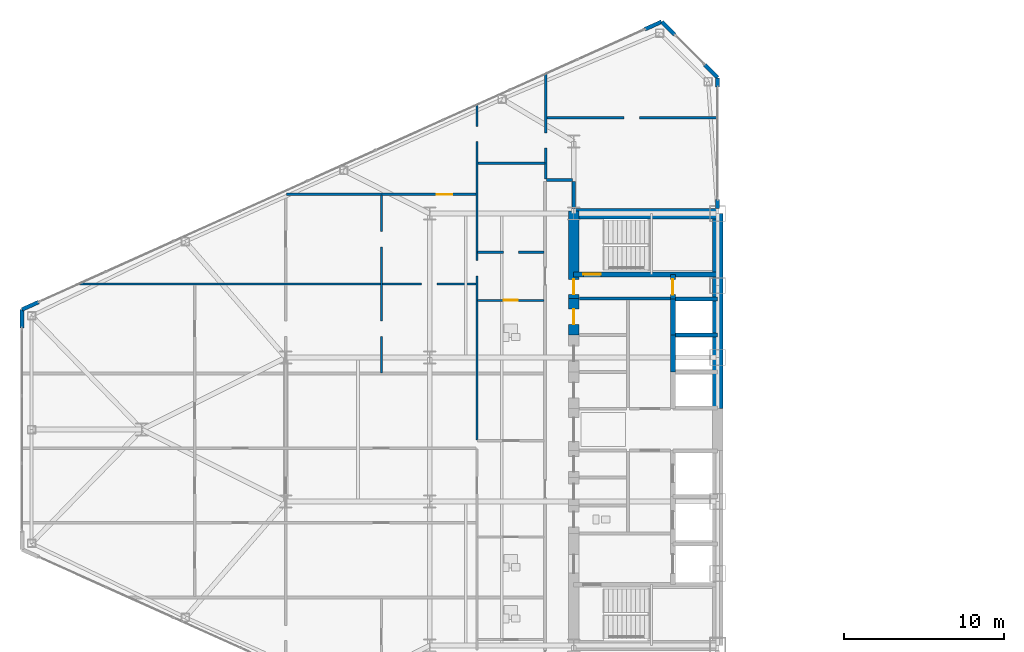
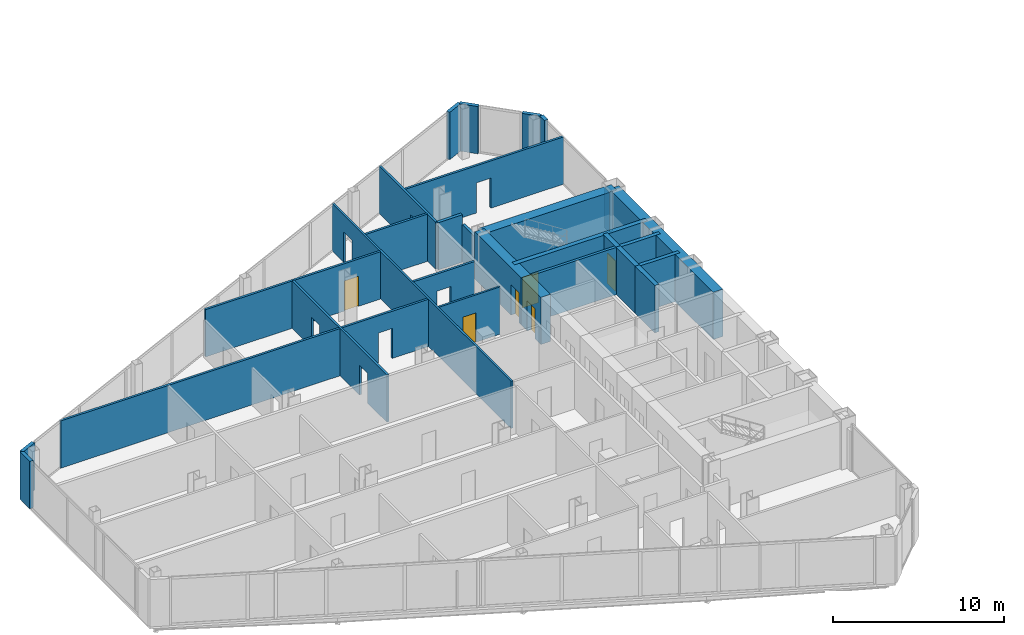
# One storey, part 21 of 27: 29 walls, 6 doors, 14 openings.
"""IFC4 building model written with IfcOpenShell, lengths in metres."""

import ifcopenshell
import ifcopenshell.guid

model = None  # the IFC model being written
_history = None  # IfcOwnerHistory: only IFC2X3 demands one
_inside = {}  # id of a spatial element -> (the spatial element, [elements in it])
_under = {}  # id of a project, library or spatial element -> (it, [spatial elements below it])
_declared = {}  # id of a project -> (the project, [libraries it declares])
_typed = {}  # id of a type object -> (the type object, [elements of that type])
_made_of = {}  # id of a material, layer set ... -> (it, [elements and type objects made of it])


def new_model(schema):
    """Start an empty IFC model of exactly this schema.

    Asked for "IFC4X3", IfcOpenShell would pick the latest addendum, in which some entities
    have other attributes; the version numbers below select the first issue.
    IFC2X3 requires an IfcOwnerHistory on every rooted entity: one is made here for all.
    """
    global model, _history
    if schema == "IFC4X3":
        model = ifcopenshell.file(schema_version=(4, 3, 0, 0))
    else:
        model = ifcopenshell.file(schema=schema)
    _inside.clear()
    _under.clear()
    _declared.clear()
    _typed.clear()
    _made_of.clear()
    _history = None
    if model.schema == "IFC2X3":
        org = make("IfcOrganization", Name="unknown")
        user = make(
            "IfcPersonAndOrganization",
            ThePerson=make("IfcPerson", FamilyName="unknown"),
            TheOrganization=org,
        )
        app = make(
            "IfcApplication",
            ApplicationDeveloper=org,
            Version="unknown",
            ApplicationFullName="unknown",
            ApplicationIdentifier="unknown",
        )
        _history = make(
            "IfcOwnerHistory",
            OwningUser=user,
            OwningApplication=app,
            ChangeAction="ADDED",
            CreationDate=0,
        )
    return model


def make(cls, **values):
    """One entity of the class cls with the attributes given. An attribute that is None is left unset."""
    return model.create_entity(
        cls, **{name: value for name, value in values.items() if value is not None}
    )


def rooted(cls, **values):
    """An entity with a GlobalId (a new one), such as an element, a storey or a relation."""
    return make(cls, GlobalId=ifcopenshell.guid.new(), OwnerHistory=_history, **values)


def si_unit(unit_type, name, prefix=None):
    """IfcSIUnit, for example si_unit("LENGTHUNIT", "METRE", prefix="MILLI")."""
    return make("IfcSIUnit", UnitType=unit_type, Prefix=prefix, Name=name)


def assignment(units):
    """IfcUnitAssignment: the units of a project."""
    return None if units is None else make("IfcUnitAssignment", Units=units)


def point(xyz):
    """IfcCartesianPoint."""
    return None if xyz is None else make("IfcCartesianPoint", Coordinates=xyz)


def direction(xyz):
    """IfcDirection."""
    return None if xyz is None else make("IfcDirection", DirectionRatios=xyz)


def frame(location, z_axis=None, x_axis=None):
    """IfcAxis2Placement3D, a coordinate frame: its origin and axes. An axis left out is left unset."""
    return make(
        "IfcAxis2Placement3D",
        Location=point(location),
        Axis=direction(z_axis),
        RefDirection=direction(x_axis),
    )


def frame_2d(location, x_axis=None):
    """IfcAxis2Placement2D, a coordinate frame in the plane: its origin and x axis."""
    return make(
        "IfcAxis2Placement2D", Location=point(location), RefDirection=direction(x_axis)
    )


def origin():
    """The frame at (0, 0, 0) with its axes left unset."""
    return frame((0.0, 0.0, 0.0))


def place(relative_to, where):
    """IfcLocalPlacement: puts the frame where relative to a parent placement (None: the world)."""
    return make(
        "IfcLocalPlacement", PlacementRelTo=relative_to, RelativePlacement=where
    )


def context(
    kind, dimensions, precision=None, world=None, true_north=None, identifier=None
):
    """IfcGeometricRepresentationContext, for example the 3D "Model" context."""
    return make(
        "IfcGeometricRepresentationContext",
        ContextIdentifier=identifier,
        ContextType=kind,
        CoordinateSpaceDimension=dimensions,
        Precision=precision,
        WorldCoordinateSystem=world,
        TrueNorth=true_north,
    )


def subcontext(parent, identifier, kind, view, scale=None):
    """IfcGeometricRepresentationSubContext, for example "Body" below "Model"."""
    return make(
        "IfcGeometricRepresentationSubContext",
        ContextIdentifier=identifier,
        ContextType=kind,
        ParentContext=parent,
        TargetScale=scale,
        TargetView=view,
    )


def project(units=None, contexts=None):
    """IfcProject with its units and contexts."""
    return rooted(
        "IfcProject",
        Name="project",
        RepresentationContexts=contexts,
        UnitsInContext=assignment(units),
    )


def spatial(cls, under=None, at=None, **own):
    """A site, building, storey or space (cls), placed at a placement, below another one or the project."""
    s = rooted(cls, ObjectPlacement=at, **own)
    if under is not None:
        _under.setdefault(under.id(), (under, []))[1].append(s)
    return s


def profile(cls, at=None, kind="AREA", **sizes):
    """A parametric profile (cls). Its sizes go by their IFC names, for example OverallWidth=200.0."""
    return make(cls, ProfileType=kind, Position=at, **sizes)


def rectangle(**sizes):
    """IfcRectangleProfileDef."""
    return profile("IfcRectangleProfileDef", **sizes)


def extrude(swept, where, along, depth):
    """IfcExtrudedAreaSolid: the profile swept, set in the frame where, extruded along a direction by depth."""
    return make(
        "IfcExtrudedAreaSolid",
        SweptArea=swept,
        Position=where,
        ExtrudedDirection=direction(along),
        Depth=depth,
    )


def shape(context_of_items, identifier, shape_type, items):
    """IfcShapeRepresentation: the items that make up one representation, for example the "Body"."""
    return make(
        "IfcShapeRepresentation",
        ContextOfItems=context_of_items,
        RepresentationIdentifier=identifier,
        RepresentationType=shape_type,
        Items=items,
    )


def source(mapping_origin, context_of_items, identifier, shape_type, items):
    """IfcRepresentationMap: a shape defined once, which mapped items show again and again."""
    return make(
        "IfcRepresentationMap",
        MappingOrigin=mapping_origin,
        MappedRepresentation=shape(context_of_items, identifier, shape_type, items),
    )


def transform(
    local_origin,
    x_axis=None,
    y_axis=None,
    z_axis=None,
    scale=None,
    scale2=None,
    scale3=None,
    uniform=True,
):
    """IfcCartesianTransformationOperator3D, or its non-uniform kind. x_axis, y_axis, z_axis: its Axis1, 2, 3."""
    if uniform:
        return make(
            "IfcCartesianTransformationOperator3D",
            Axis1=direction(x_axis),
            Axis2=direction(y_axis),
            LocalOrigin=point(local_origin),
            Scale=scale,
            Axis3=direction(z_axis),
        )
    return make(
        "IfcCartesianTransformationOperator3DnonUniform",
        Axis1=direction(x_axis),
        Axis2=direction(y_axis),
        LocalOrigin=point(local_origin),
        Scale=scale,
        Axis3=direction(z_axis),
        Scale2=scale2,
        Scale3=scale3,
    )


def mapped(mapping_source, mapping_target):
    """IfcMappedItem: shows the shape of a source again, moved by a transform."""
    return make(
        "IfcMappedItem", MappingSource=mapping_source, MappingTarget=mapping_target
    )


def material(Name=None, Category=None):
    """IfcMaterial."""
    return make("IfcMaterial", Name=Name, Category=Category)


def layer(
    of_material, thickness, ventilated=None, Name=None, Category=None, Priority=None
):
    """IfcMaterialLayer: one layer of a wall or slab, of a material (None: an air gap)."""
    return make(
        "IfcMaterialLayer",
        Material=of_material,
        LayerThickness=thickness,
        IsVentilated=ventilated,
        Name=Name,
        Category=Category,
        Priority=Priority,
    )


def layer_set(layers, Name=None):
    """IfcMaterialLayerSet."""
    return make("IfcMaterialLayerSet", MaterialLayers=layers, LayerSetName=Name)


def made_of(thing, what):
    """Note that an element or type object is made of a material, layer set ...; save() writes the relation."""
    if what is not None:
        _made_of.setdefault(what.id(), (what, []))[1].append(thing)
    return thing


def type_object(cls, material=None, **own):
    """A type object (cls), such as IfcWallType, which elements share."""
    return made_of(rooted(cls, **own), material)


def type_shapes(of_type, sources):
    """Give a type object the sources (RepresentationMaps) that its elements show as mapped items."""
    of_type.RepresentationMaps = sources


def element(
    cls,
    number,
    at=None,
    inside=None,
    cuts=None,
    type_object=None,
    material=None,
    context=None,
    identifier="Body",
    shape_type=None,
    held_by="IfcProductDefinitionShape",
    body=None,
    shapes=None,
    **own,
):
    """One element of the class cls, such as IfcWall. Its Tag is "e" and its number.

    at: its placement. inside: the storey or other place that contains it. cuts: it is an
    opening in that element (IfcRelVoidsElement). A single representation is given by context,
    identifier, shape_type and body (its items); several are given by shapes. held_by: the class
    of the entity that holds the representations. save() writes the other relations.
    """
    e = rooted(cls, Tag="e%d" % number, ObjectPlacement=at, **own)
    if body is not None:
        shapes = [shape(context, identifier, shape_type, body)]
    if shapes is not None:
        e.Representation = make(held_by, Representations=shapes)
    if inside is not None:
        _inside.setdefault(inside.id(), (inside, []))[1].append(e)
    if cuts is not None:
        rooted(
            "IfcRelVoidsElement", RelatingBuildingElement=cuts, RelatedOpeningElement=e
        )
    if type_object is not None:
        _typed.setdefault(type_object.id(), (type_object, []))[1].append(e)
    return made_of(e, material)


def fill(opening, filler):
    """IfcRelFillsElement: the door or window that sits in an opening."""
    return rooted(
        "IfcRelFillsElement",
        RelatingOpeningElement=opening,
        RelatedBuildingElement=filler,
    )


def aggregate(whole, parts):
    """IfcRelAggregates: a whole, such as a stair, and the parts it consists of."""
    return rooted("IfcRelAggregates", RelatingObject=whole, RelatedObjects=parts)


def save(model, path):
    """Write the relations noted so far, then the file.

    IfcRelAggregates (storeys below a building ...), IfcRelContainedInSpatialStructure (elements
    in a storey), IfcRelDefinesByType, IfcRelAssociatesMaterial and IfcRelDeclares: one each for
    every whole, place, type object, material and project.
    """
    for whole, parts in _under.values():
        aggregate(whole, parts)
    for where, things in _inside.values():
        rooted(
            "IfcRelContainedInSpatialStructure",
            RelatedElements=things,
            RelatingStructure=where,
        )
    for kind, things in _typed.values():
        rooted("IfcRelDefinesByType", RelatedObjects=things, RelatingType=kind)
    for what, things in _made_of.values():
        rooted("IfcRelAssociatesMaterial", RelatedObjects=things, RelatingMaterial=what)
    for by, libraries in _declared.values():
        rooted("IfcRelDeclares", RelatingContext=by, RelatedDefinitions=libraries)
    model.write(path)


model = new_model("IFC4")

# Units and contexts
model_context = context("Model", 3, precision=1e-05, world=origin(), true_north=direction((0.0, 1.0)))
body_context = subcontext(model_context, "Body", "Model", "MODEL_VIEW")
ifc_project = project(units=[si_unit("LENGTHUNIT", "METRE"), si_unit("AREAUNIT", "SQUARE_METRE"), si_unit("VOLUMEUNIT", "CUBIC_METRE"), si_unit("PLANEANGLEUNIT", "RADIAN"), si_unit("MASSUNIT", "GRAM", prefix="KILO")], contexts=[model_context])

# Site, building, storey
site_placement = place(None, origin())
site = spatial("IfcSite", under=ifc_project, at=site_placement, CompositionType="ELEMENT")
building_placement = place(site_placement, origin())
building = spatial("IfcBuilding", under=site, at=building_placement, Name="Seokmaru Belvedere", CompositionType="ELEMENT")
storey_placement = place(building_placement, frame((0.0, 0.0, 103.199951171875)))
storey = spatial("IfcBuildingStorey", under=building, at=storey_placement, Name="L27", CompositionType="ELEMENT", Elevation=103.199951171875)

# Wall, opening
ifc_material_1 = material(Name="Fire-Rated Gypsum Shaftwall")
ifc_layer_1 = layer(ifc_material_1, 0.14990234375)
ifc_layer_set_1 = layer_set([ifc_layer_1], Name="Fire-Rated Gypsum Shaftwall")
wall_type_1 = type_object("IfcWallType", Name="Apartment Fire-Acoustic Room Partition 150", PredefinedType="PARTITIONING", material=ifc_layer_set_1)
wall_1_placement = place(storey_placement, frame((-67.47802734375, 9.10009765625, 0.0), z_axis=(0.0, 0.0, 1.0), x_axis=(1.0, 0.0, 0.0)))
wall_1 = element("IfcWall", 1, at=wall_1_placement, inside=storey, type_object=wall_type_1, Name="L27 Interior Partition 022", PredefinedType="PARTITIONING", context=body_context, shape_type="SweptSolid", body=[
    extrude(rectangle(XDim=24.8779296875, YDim=0.14990234375, at=frame_2d((12.43896484375, 0.0))), origin(), (0.0, 0.0, 1.0), 3.380126953125),
])
opening_1_placement = place(wall_1_placement, frame((21.465576171875, 0.0, 0.0)))
element("IfcOpeningElement", 2, at=opening_1_placement, cuts=wall_1, Name="L27 Cased Opening 026", PredefinedType="OPENING", context=body_context, shape_type="SweptSolid", body=[
    extrude(rectangle(XDim=0.949951171875, YDim=2.14990234375, at=frame_2d((0.47509765625, 1.074951171875))), frame((0.0, 0.0849609375, 0.0), z_axis=(0.0, -1.0, 0.0), x_axis=(1.0, 0.0, 0.0)), (0.0, 0.0, 1.0), 0.169921875),
])

wall_2_placement = place(storey_placement, frame((-42.5, 11.080078125, 0.0), z_axis=(0.0, 0.0, 1.0), x_axis=(1.0, 0.0, 0.0)))
wall_2 = element("IfcWall", 3, at=wall_2_placement, inside=storey, type_object=wall_type_1, Name="L27 Interior Partition 024", PredefinedType="PARTITIONING", context=body_context, shape_type="SweptSolid", body=[
    extrude(rectangle(XDim=4.14990234375, YDim=0.14990234375, at=frame_2d((2.074951171875, 0.0))), origin(), (0.0, 0.0, 1.0), 3.380126953125),
])
opening_2_placement = place(wall_2_placement, frame((1.60009765625, 0.0, 0.0)))
element("IfcOpeningElement", 4, at=opening_2_placement, cuts=wall_2, Name="L27 Cased Opening 024", PredefinedType="OPENING", context=body_context, shape_type="SweptSolid", body=[
    extrude(rectangle(XDim=0.949951171875, YDim=2.14990234375, at=frame_2d((0.47509765625, 1.074951171875))), frame((0.0, 0.0849609375, 0.0), z_axis=(0.0, -1.0, 0.0), x_axis=(1.0, 0.0, 0.0)), (0.0, 0.0, 1.0), 0.169921875),
])

# Wall, opening, door
wall_3_placement = place(storey_placement, frame((-54.449951171875, 14.699951171875, 0.0), z_axis=(0.0, 0.0, 1.0), x_axis=(1.0, 0.0, 0.0)))
wall_3 = element("IfcWall", 5, at=wall_3_placement, inside=storey, type_object=wall_type_1, Name="L27 Interior Partition 026", PredefinedType="PARTITIONING", context=body_context, shape_type="SweptSolid", body=[
    extrude(rectangle(XDim=11.849853515625, YDim=0.14990234375, at=frame_2d((5.9248046875, 0.0))), origin(), (0.0, 0.0, 1.0), 3.380126953125),
])
opening_3_placement = place(wall_3_placement, frame((9.400634765625, 0.0, 0.0)))
opening_3 = element("IfcOpeningElement", 6, at=opening_3_placement, cuts=wall_3, Name="Opening D05", PredefinedType="OPENING", context=body_context, shape_type="SweptSolid", body=[
    extrude(rectangle(XDim=0.949951171875, YDim=2.14990234375, at=frame_2d((0.47509765625, 1.074951171875))), frame((0.0, 0.0849609375, 0.0), z_axis=(0.0, -1.0, 0.0), x_axis=(1.0, 0.0, 0.0)), (0.0, 0.0, 1.0), 0.169921875),
])
ifc_material_2 = material(Name="Engineered White Oak Timber", Category="wood")
door_type_1 = type_object("IfcDoorType", Name="Apartment Interior Fire-Rated Oak Door 950x2150", OperationType="NOTDEFINED", PredefinedType="DOOR", material=ifc_material_2)
shared_shape_1 = source(origin(), body_context, "Body", "SweptSolid", [
    extrude(rectangle(XDim=0.949951171875, YDim=2.14990234375, at=frame_2d((0.47509765625, 1.074951171875))), frame((0.0, 0.02490234375, 0.0), z_axis=(0.0, -1.0, 0.0), x_axis=(1.0, 0.0, 0.0)), (0.0, 0.0, 1.0), 0.050048828125),
])
type_shapes(door_type_1, [shared_shape_1])
door_1_placement = place(opening_3_placement, origin())
door_1 = element("IfcDoor", 7, at=door_1_placement, inside=storey, type_object=door_type_1, Name="L27 Interior Door 028", OperationType="SINGLE_SWING_RIGHT", OverallHeight=2.14990234375, OverallWidth=0.949951171875, PredefinedType="DOOR", context=body_context, shape_type="MappedRepresentation", body=[
    mapped(shared_shape_1, transform((0.0, 0.0, 0.0), scale=1.0)),
])
fill(opening_3, door_1)

# Wall
wall_4_placement = place(storey_placement, frame((-42.5, 16.659912109375, 0.0), z_axis=(0.0, 0.0, 1.0), x_axis=(1.0, 0.0, 0.0)))
element("IfcWall", 8, at=wall_4_placement, inside=storey, type_object=wall_type_1, Name="L27 Interior Partition 030", PredefinedType="PARTITIONING", context=body_context, shape_type="SweptSolid", body=[
    extrude(rectangle(XDim=4.199951171875, YDim=0.14990234375, at=frame_2d((2.10009765625, 0.0))), origin(), (0.0, 0.0, 1.0), 3.380126953125),
])

# Wall, opening
wall_5_placement = place(storey_placement, frame((-38.199951171875, 19.5, 0.0), z_axis=(0.0, 0.0, 1.0), x_axis=(1.0, 0.0, 0.0)))
wall_5 = element("IfcWall", 9, at=wall_5_placement, inside=storey, type_object=wall_type_1, Name="L27 Interior Partition 031", PredefinedType="PARTITIONING", context=body_context, shape_type="SweptSolid", body=[
    extrude(rectangle(XDim=10.73486328125, YDim=0.14990234375, at=frame_2d((5.367431640625, 0.0))), origin(), (0.0, 0.0, 1.0), 3.380126953125),
])
opening_4_placement = place(wall_5_placement, frame((4.85009765625, 0.0, 0.0)))
element("IfcOpeningElement", 10, at=opening_4_placement, cuts=wall_5, Name="L27 Cased Opening 035", PredefinedType="OPENING", context=body_context, shape_type="SweptSolid", body=[
    extrude(rectangle(XDim=0.949951171875, YDim=2.14990234375, at=frame_2d((0.47509765625, 1.074951171875))), frame((0.0, 0.0849609375, 0.0), z_axis=(0.0, -1.0, 0.0), x_axis=(1.0, 0.0, 0.0)), (0.0, 0.0, 1.0), 0.169921875),
])

# Wall, openings
wall_6_placement = place(storey_placement, frame((-48.52001953125, 3.550048828125, 0.0), z_axis=(0.0, 0.0, 1.0), x_axis=(0.0, 1.0, 0.0)))
wall_6 = element("IfcWall", 11, at=wall_6_placement, inside=storey, type_object=wall_type_1, Name="L27 Interior Partition 036", PredefinedType="PARTITIONING", context=body_context, shape_type="SweptSolid", body=[
    extrude(rectangle(XDim=11.10205078125, YDim=0.14990234375, at=frame_2d((5.551025390625, 0.0))), origin(), (0.0, 0.0, 1.0), 3.380126953125),
])
opening_5_placement = place(wall_6_placement, frame((7.876220703125, 0.0, 0.0)))
element("IfcOpeningElement", 12, at=opening_5_placement, cuts=wall_6, Name="L27 Cased Opening 027", PredefinedType="OPENING", context=body_context, shape_type="SweptSolid", body=[
    extrude(rectangle(XDim=0.949951171875, YDim=2.14990234375, at=frame_2d((0.47509765625, 1.074951171875))), frame((0.0, 0.0849609375, 0.0), z_axis=(0.0, -1.0, 0.0), x_axis=(1.0, 0.0, 0.0)), (0.0, 0.0, 1.0), 0.169921875),
])
opening_6_placement = place(wall_6_placement, frame((2.275390625, 0.0, 0.0)))
element("IfcOpeningElement", 13, at=opening_6_placement, cuts=wall_6, Name="L27 Cased Opening 030", PredefinedType="OPENING", context=body_context, shape_type="SweptSolid", body=[
    extrude(rectangle(XDim=0.949951171875, YDim=2.14990234375, at=frame_2d((0.47509765625, 1.074951171875))), frame((0.0, 0.0849609375, 0.0), z_axis=(0.0, -1.0, 0.0), x_axis=(1.0, 0.0, 0.0)), (0.0, 0.0, 1.0), 0.169921875),
])

# Wall, opening
wall_7_placement = place(storey_placement, frame((-38.25, 15.64990234375, 0.0), z_axis=(0.0, 0.0, 1.0), x_axis=(0.0, 1.0, 0.0)))
wall_7 = element("IfcWall", 14, at=wall_7_placement, inside=storey, type_object=wall_type_1, Name="L27 Interior Partition 042", PredefinedType="PARTITIONING", context=body_context, shape_type="SweptSolid", body=[
    extrude(rectangle(XDim=6.623046875, YDim=0.14990234375, at=frame_2d((3.3115234375, 0.0))), origin(), (0.0, 0.0, 1.0), 3.380126953125),
])
opening_7_placement = place(wall_7_placement, frame((1.95361328125, 0.0, 0.0)))
element("IfcOpeningElement", 15, at=opening_7_placement, cuts=wall_7, Name="L27 Cased Opening 034", PredefinedType="OPENING", context=body_context, shape_type="SweptSolid", body=[
    extrude(rectangle(XDim=0.949951171875, YDim=2.14990234375, at=frame_2d((0.47509765625, 1.074951171875))), frame((0.0, 0.0849609375, 0.0), z_axis=(0.0, -1.0, 0.0), x_axis=(1.0, 0.0, 0.0)), (0.0, 0.0, 1.0), 0.169921875),
])

# Walls
ifc_layer_2 = layer(ifc_material_1, 0.179931640625)
ifc_layer_set_2 = layer_set([ifc_layer_2], Name="Fire-Rated Gypsum Shaftwall")
wall_type_2 = type_object("IfcWallType", Name="Core Service Fire Partition 180", PredefinedType="PARTITIONING", material=ifc_layer_set_2)
wall_8_placement = place(storey_placement, frame((-36.14990234375, 8.199951171875, 0.0), z_axis=(0.0, 0.0, 1.0), x_axis=(1.0, 0.0, 0.0)))
element("IfcWall", 16, at=wall_8_placement, inside=storey, type_object=wall_type_2, Name="L27 West Smokeproof Vestibule Partition", PredefinedType="PARTITIONING", context=body_context, shape_type="SweptSolid", body=[
    extrude(rectangle(XDim=5.699951171875, YDim=0.179931640625, at=frame_2d((2.85009765625, 0.0))), origin(), (0.0, 0.0, 1.0), 3.380126953125),
])
ifc_material_3 = material(Name="Concrete C50 (50 MPa)", Category="concrete")
ifc_layer_3 = layer(ifc_material_3, 0.25)
ifc_layer_set_3 = layer_set([ifc_layer_3], Name="Concrete C50 (50 MPa)")
wall_type_3 = type_object("IfcWallType", Name="Hoistway Transverse Concrete Divider Wall 250", PredefinedType="SHEAR", material=ifc_layer_set_3)
for number, where, z_axis, x_axis, name in (
    (17, (-30.300048828125, 5.89990234375, 0.0), (0.0, 0.0, 1.0), (1.0, 0.0, 0.0), "L27 West Hoistway Divider Core Wall 6"),
    (18, (-30.300048828125, 8.14990234375, 0.0), (0.0, 0.0, 1.0), (1.0, 0.0, 0.0), "L27 West Hoistway Divider Core Wall 7"),
):
    element("IfcWall", number, at=place(storey_placement, frame(where, z_axis=z_axis, x_axis=x_axis)), inside=storey, type_object=wall_type_3, Name=name, PredefinedType="SHEAR", context=body_context, shape_type="SweptSolid", body=[
        extrude(rectangle(XDim=2.800048828125, YDim=0.25, at=frame_2d((1.39990234375, 0.0))), origin(), (0.0, 0.0, 1.0), 3.380126953125),
    ])
ifc_layer_4 = layer(ifc_material_1, 0.199951171875)
ifc_layer_set_4 = layer_set([ifc_layer_4], Name="Fire-Rated Gypsum Shaftwall")
wall_type_4 = type_object("IfcWallType", Name="Inter-Tenancy Fire Compartment Partition 200", PredefinedType="PARTITIONING", material=ifc_layer_set_4)
wall_9_placement = place(storey_placement, frame((-38.215087890625, 15.60009765625, 0.0), z_axis=(0.0, 0.0, 1.0), x_axis=(1.0, 0.0, 0.0)))
element("IfcWall", 19, at=wall_9_placement, inside=storey, type_object=wall_type_4, Name="L27 Interior Partition 027", PredefinedType="PARTITIONING", context=body_context, shape_type="SweptSolid", body=[
    extrude(rectangle(XDim=1.630126953125, YDim=0.199951171875, at=frame_2d((0.81494140625, 0.0))), origin(), (0.0, 0.0, 1.0), 3.380126953125),
])
wall_10_placement = place(storey_placement, frame((-36.5, 13.830078125, 0.0), z_axis=(0.0, 0.0, 1.0), x_axis=(0.0, 1.0, 0.0)))
element("IfcWall", 20, at=wall_10_placement, inside=storey, type_object=wall_type_4, Name="L27 Interior Partition 044", PredefinedType="PARTITIONING", context=body_context, shape_type="SweptSolid", body=[
    extrude(rectangle(XDim=1.684814453125, YDim=0.199951171875, at=frame_2d((0.84228515625, 0.0))), origin(), (0.0, 0.0, 1.0), 2.679931640625),
])

# Wall, opening, door
ifc_layer_5 = layer(ifc_material_3, 0.300048828125)
ifc_layer_set_5 = layer_set([ifc_layer_5], Name="Concrete C50 (50 MPa)")
wall_type_5 = type_object("IfcWallType", Name="Internal Core Stair and Hoistway Wall 300", PredefinedType="SHEAR", material=ifc_layer_set_5)
wall_11_placement = place(storey_placement, frame((-36.5, 9.699951171875, 0.0), z_axis=(0.0, 0.0, 1.0), x_axis=(1.0, 0.0, 0.0)))
wall_11 = element("IfcWall", 21, at=wall_11_placement, inside=storey, type_object=wall_type_5, Name="L27 West Stair ST-2 Enclosure Wall", PredefinedType="SHEAR", context=body_context, shape_type="SweptSolid", body=[
    extrude(rectangle(XDim=9.0, YDim=0.300048828125, at=frame_2d((4.5, 0.0))), origin(), (0.0, 0.0, 1.0), 3.380126953125),
])
opening_8_placement = place(wall_11_placement, frame((0.60009765625, 0.0, 0.0)))
opening_8 = element("IfcOpeningElement", 22, at=opening_8_placement, cuts=wall_11, Name="Opening D01", PredefinedType="OPENING", context=body_context, shape_type="SweptSolid", body=[
    extrude(rectangle(XDim=1.10009765625, YDim=2.199951171875, at=frame_2d((0.550048828125, 1.10009765625))), frame((0.0, 0.16015625, 0.0), z_axis=(0.0, -1.0, 0.0), x_axis=(1.0, 0.0, 0.0)), (0.0, 0.0, 1.0), 0.320068359375),
])
ifc_material_4 = material(Name="Fire-Rated Steel Leaf", Category="steel")
door_type_2 = type_object("IfcDoorType", Name="Special Escape Stair Smokeproof Fire Door 1100x2200", OperationType="NOTDEFINED", PredefinedType="DOOR", material=ifc_material_4)
shared_shape_2 = source(origin(), body_context, "Body", "SweptSolid", [
    extrude(rectangle(XDim=1.10009765625, YDim=2.199951171875, at=frame_2d((0.550048828125, 1.10009765625))), frame((0.0, 0.02490234375, 0.0), z_axis=(0.0, -1.0, 0.0), x_axis=(1.0, 0.0, 0.0)), (0.0, 0.0, 1.0), 0.050048828125),
])
type_shapes(door_type_2, [shared_shape_2])
door_2_placement = place(opening_8_placement, origin())
door_2 = element("IfcDoor", 23, at=door_2_placement, inside=storey, type_object=door_type_2, Name="L27 West Special Escape Stair ST-2 Door", OperationType="SINGLE_SWING_RIGHT", OverallHeight=2.199951171875, OverallWidth=1.10009765625, PredefinedType="DOOR", context=body_context, shape_type="MappedRepresentation", body=[
    mapped(shared_shape_2, transform((0.0, 0.0, 0.0), scale=1.0)),
])
fill(opening_8, door_2)

# Walls
wall_12_placement = place(storey_placement, frame((-30.300048828125, 3.60009765625, 0.0), z_axis=(0.0, 0.0, 1.0), x_axis=(0.0, 1.0, 0.0)))
element("IfcWall", 24, at=wall_12_placement, inside=storey, type_object=wall_type_5, Name="L27 West North Hoistway Wall PH2", PredefinedType="SHEAR", context=body_context, shape_type="SweptSolid", body=[
    extrude(rectangle(XDim=2.2998046875, YDim=0.300048828125, at=frame_2d((1.14990234375, 0.0))), origin(), (0.0, 0.0, 1.0), 3.380126953125),
])
wall_13_placement = place(storey_placement, frame((-30.300048828125, 5.89990234375, 0.0), z_axis=(0.0, 0.0, 1.0), x_axis=(0.0, 1.0, 0.0)))
element("IfcWall", 25, at=wall_13_placement, inside=storey, type_object=wall_type_5, Name="L27 West North Hoistway Wall OBS", PredefinedType="SHEAR", context=body_context, shape_type="SweptSolid", body=[
    extrude(rectangle(XDim=2.25, YDim=0.300048828125, at=frame_2d((1.125, 0.0))), origin(), (0.0, 0.0, 1.0), 3.380126953125),
])

# Wall, opening, door
wall_14_placement = place(storey_placement, frame((-30.300048828125, 8.14990234375, 0.0), z_axis=(0.0, 0.0, 1.0), x_axis=(0.0, 1.0, 0.0)))
wall_14 = element("IfcWall", 26, at=wall_14_placement, inside=storey, type_object=wall_type_5, Name="L27 West Electrical Riser Front Wall", PredefinedType="SHEAR", context=body_context, shape_type="SweptSolid", body=[
    extrude(rectangle(XDim=1.530029296875, YDim=0.300048828125, at=frame_2d((0.76513671875, 0.0))), origin(), (0.0, 0.0, 1.0), 3.380126953125),
])
opening_9_placement = place(wall_14_placement, frame((0.284912109375, 0.0, 0.0)))
opening_9 = element("IfcOpeningElement", 27, at=opening_9_placement, cuts=wall_14, Name="Opening D04", PredefinedType="OPENING", context=body_context, shape_type="SweptSolid", body=[
    extrude(rectangle(XDim=0.949951171875, YDim=2.14990234375, at=frame_2d((0.47509765625, 1.074951171875))), frame((0.0, 0.16015625, 0.0), z_axis=(0.0, -1.0, 0.0), x_axis=(1.0, 0.0, 0.0)), (0.0, 0.0, 1.0), 0.320068359375),
])
door_type_3 = type_object("IfcDoorType", Name="Core Service Room Fire Door 950x2150", OperationType="NOTDEFINED", PredefinedType="DOOR", material=ifc_material_4)
shared_shape_3 = source(origin(), body_context, "Body", "SweptSolid", [
    extrude(rectangle(XDim=0.949951171875, YDim=2.14990234375, at=frame_2d((0.47509765625, 1.074951171875))), frame((0.0, 0.02490234375, 0.0), z_axis=(0.0, -1.0, 0.0), x_axis=(1.0, 0.0, 0.0)), (0.0, 0.0, 1.0), 0.050048828125),
])
type_shapes(door_type_3, [shared_shape_3])
door_3_placement = place(opening_9_placement, origin())
door_3 = element("IfcDoor", 28, at=door_3_placement, inside=storey, type_object=door_type_3, Name="L27 West Electrical Riser Access Door", OperationType="SINGLE_SWING_LEFT", OverallHeight=2.14990234375, OverallWidth=0.949951171875, PredefinedType="DOOR", context=body_context, shape_type="MappedRepresentation", body=[
    mapped(shared_shape_3, transform((0.0, 0.0, 0.0), scale=1.0)),
])
fill(opening_9, door_3)

# Walls
ifc_material_5 = material(Name="Concrete C60 (60 MPa)", Category="concrete")
ifc_layer_6 = layer(ifc_material_5, 0.64990234375)
ifc_layer_set_6 = layer_set([ifc_layer_6], Name="Concrete C60 (60 MPa)")
wall_type_6 = type_object("IfcWallType", Name="Mid-Low Reinforced Concrete Core Wall 650", PredefinedType="SHEAR", material=ifc_layer_set_6)
wall_15_placement = place(storey_placement, frame((-27.5, 1.300048828125, 0.0), z_axis=(0.0, 0.0, 1.0), x_axis=(0.0, 1.0, 0.0)))
element("IfcWall", 29, at=wall_15_placement, inside=storey, type_object=wall_type_6, Name="L27 West Portal Spine Core Wall North", PredefinedType="SHEAR", context=body_context, shape_type="SweptSolid", body=[
    extrude(rectangle(XDim=12.199951171875, YDim=0.64990234375, at=frame_2d((6.10009765625, 0.0))), origin(), (0.0, 0.0, 1.0), 3.380126953125),
])
wall_16_placement = place(storey_placement, frame((-36.5, 13.5, 0.0), z_axis=(0.0, 0.0, 1.0), x_axis=(1.0, 0.0, 0.0)))
element("IfcWall", 30, at=wall_16_placement, inside=storey, type_object=wall_type_6, Name="L27 West North Core Wall", PredefinedType="SHEAR", context=body_context, shape_type="SweptSolid", body=[
    extrude(rectangle(XDim=9.0, YDim=0.64990234375, at=frame_2d((4.5, 0.0))), origin(), (0.0, 0.0, 1.0), 3.380126953125),
])

# Wall, opening, door
wall_17_placement = place(storey_placement, frame((-36.5, 8.199951171875, 0.0), z_axis=(0.0, 0.0, 1.0), x_axis=(0.0, 1.0, 0.0)))
wall_17 = element("IfcWall", 31, at=wall_17_placement, inside=storey, type_object=wall_type_6, Name="L27 West West Core Wall VST", PredefinedType="SHEAR", context=body_context, shape_type="SweptSolid", body=[
    extrude(rectangle(XDim=5.449951171875, YDim=0.64990234375, at=frame_2d((2.72509765625, 0.0))), origin(), (0.0, 0.0, 1.0), 3.380126953125),
])
opening_10_placement = place(wall_17_placement, frame((0.2451171875, 0.0, 0.0)))
opening_10 = element("IfcOpeningElement", 32, at=opening_10_placement, cuts=wall_17, Name="Opening D04", PredefinedType="OPENING", context=body_context, shape_type="SweptSolid", body=[
    extrude(rectangle(XDim=0.949951171875, YDim=2.14990234375, at=frame_2d((0.47509765625, 1.074951171875))), frame((0.0, 0.3349609375, 0.0), z_axis=(0.0, -1.0, 0.0), x_axis=(1.0, 0.0, 0.0)), (0.0, 0.0, 1.0), 0.669921875),
])
door_4_placement = place(opening_10_placement, frame((0.949951171875, 0.0, 0.0), z_axis=(0.0, 0.0, 1.0), x_axis=(-1.0, 0.0, 0.0)))
door_4 = element("IfcDoor", 33, at=door_4_placement, inside=storey, type_object=door_type_3, Name="L27 West Smokeproof Vestibule Door", OperationType="SINGLE_SWING_RIGHT", OverallHeight=2.14990234375, OverallWidth=0.949951171875, PredefinedType="DOOR", context=body_context, shape_type="MappedRepresentation", body=[
    mapped(shared_shape_3, transform((0.0, 0.0, 0.0), scale=1.0)),
])
fill(opening_10, door_4)

wall_18_placement = place(storey_placement, frame((-36.5, 5.89990234375, 0.0), z_axis=(0.0, 0.0, 1.0), x_axis=(0.0, 1.0, 0.0)))
wall_18 = element("IfcWall", 34, at=wall_18_placement, inside=storey, type_object=wall_type_6, Name="L27 West West Core Wall CS6", PredefinedType="SHEAR", context=body_context, shape_type="SweptSolid", body=[
    extrude(rectangle(XDim=2.300048828125, YDim=0.64990234375, at=frame_2d((1.14990234375, 0.0))), origin(), (0.0, 0.0, 1.0), 3.380126953125),
])
opening_11_placement = place(wall_18_placement, frame((0.675048828125, 0.0, 0.0)))
opening_11 = element("IfcOpeningElement", 35, at=opening_11_placement, cuts=wall_18, Name="Opening D04", PredefinedType="OPENING", context=body_context, shape_type="SweptSolid", body=[
    extrude(rectangle(XDim=0.949951171875, YDim=2.14990234375, at=frame_2d((0.47509765625, 1.074951171875))), frame((0.0, 0.3349609375, 0.0), z_axis=(0.0, -1.0, 0.0), x_axis=(1.0, 0.0, 0.0)), (0.0, 0.0, 1.0), 0.669921875),
])
door_5_placement = place(opening_11_placement, origin())
door_5 = element("IfcDoor", 36, at=door_5_placement, inside=storey, type_object=door_type_3, Name="L27 West Core Service Room Door 6", OperationType="SINGLE_SWING_RIGHT", OverallHeight=2.14990234375, OverallWidth=0.949951171875, PredefinedType="DOOR", context=body_context, shape_type="MappedRepresentation", body=[
    mapped(shared_shape_3, transform((0.0, 0.0, 0.0), scale=1.0)),
])
fill(opening_11, door_5)

ifc_layer_7 = layer(ifc_material_1, 0.1298828125)
ifc_layer_set_7 = layer_set([ifc_layer_7], Name="Fire-Rated Gypsum Shaftwall")
wall_type_7 = type_object("IfcWallType", Name="Moisture-Resistant Fire-Rated Bathroom Partition 130", PredefinedType="PARTITIONING", material=ifc_layer_set_7)
wall_19_placement = place(storey_placement, frame((-42.5, 8.080078125, 0.0), z_axis=(0.0, 0.0, 1.0), x_axis=(1.0, 0.0, 0.0)))
wall_19 = element("IfcWall", 37, at=wall_19_placement, inside=storey, type_object=wall_type_7, Name="L27 Interior Partition 021", PredefinedType="PARTITIONING", context=body_context, shape_type="SweptSolid", body=[
    extrude(rectangle(XDim=4.14990234375, YDim=0.1298828125, at=frame_2d((2.074951171875, 0.0))), origin(), (0.0, 0.0, 1.0), 3.380126953125),
])
opening_12_placement = place(wall_19_placement, frame((1.635009765625, 0.0, 0.0)))
opening_12 = element("IfcOpeningElement", 38, at=opening_12_placement, cuts=wall_19, Name="Opening D06", PredefinedType="OPENING", context=body_context, shape_type="SweptSolid", body=[
    extrude(rectangle(XDim=0.8798828125, YDim=2.10009765625, at=frame_2d((0.43994140625, 1.050048828125))), frame((0.0, 0.074951171875, 0.0), z_axis=(0.0, -1.0, 0.0), x_axis=(1.0, 0.0, 0.0)), (0.0, 0.0, 1.0), 0.14990234375),
])
door_type_4 = type_object("IfcDoorType", Name="Bathroom and Restroom Fire-Rated Door 880x2100", OperationType="NOTDEFINED", PredefinedType="DOOR", material=ifc_material_2)
shared_shape_4 = source(origin(), body_context, "Body", "SweptSolid", [
    extrude(rectangle(XDim=0.8798828125, YDim=2.10009765625, at=frame_2d((0.43994140625, 1.050048828125))), frame((0.0, 0.02490234375, 0.0), z_axis=(0.0, -1.0, 0.0), x_axis=(1.0, 0.0, 0.0)), (0.0, 0.0, 1.0), 0.050048828125),
])
type_shapes(door_type_4, [shared_shape_4])
door_6_placement = place(opening_12_placement, origin())
door_6 = element("IfcDoor", 39, at=door_6_placement, inside=storey, type_object=door_type_4, Name="L27 Interior Door 023", OperationType="SINGLE_SWING_LEFT", OverallHeight=2.10009765625, OverallWidth=0.8798828125, PredefinedType="DOOR", context=body_context, shape_type="MappedRepresentation", body=[
    mapped(shared_shape_4, transform((0.0, 0.0, 0.0), scale=1.0)),
])
fill(opening_12, door_6)

# Wall, openings
wall_20_placement = place(storey_placement, frame((-42.550048828125, -0.64794921875, 0.0), z_axis=(0.0, 0.0, 1.0), x_axis=(0.0, 1.0, 0.0)))
wall_20 = element("IfcWall", 40, at=wall_20_placement, inside=storey, type_object=wall_type_7, Name="L27 Interior Partition 039", PredefinedType="PARTITIONING", context=body_context, shape_type="SweptSolid", body=[
    extrude(rectangle(XDim=20.98486328125, YDim=0.1298828125, at=frame_2d((10.492431640625, 0.0))), origin(), (0.0, 0.0, 1.0), 3.380126953125),
])
opening_13_placement = place(wall_20_placement, frame((10.26220703125, 0.0, 0.0)))
element("IfcOpeningElement", 41, at=opening_13_placement, cuts=wall_20, Name="L27 Cased Opening 025", PredefinedType="OPENING", context=body_context, shape_type="SweptSolid", body=[
    extrude(rectangle(XDim=0.949951171875, YDim=2.14990234375, at=frame_2d((0.47509765625, 1.074951171875))), frame((0.0, 0.074951171875, 0.0), z_axis=(0.0, -1.0, 0.0), x_axis=(1.0, 0.0, 0.0)), (0.0, 0.0, 1.0), 0.14990234375),
])
opening_14_placement = place(wall_20_placement, frame((18.653076171875, 0.0, 0.0)))
element("IfcOpeningElement", 42, at=opening_14_placement, cuts=wall_20, Name="L27 Cased Opening 033", PredefinedType="OPENING", context=body_context, shape_type="SweptSolid", body=[
    extrude(rectangle(XDim=0.949951171875, YDim=2.14990234375, at=frame_2d((0.47509765625, 1.074951171875))), frame((0.0, 0.074951171875, 0.0), z_axis=(0.0, -1.0, 0.0), x_axis=(1.0, 0.0, 0.0)), (0.0, 0.0, 1.0), 0.14990234375),
])

# Walls
ifc_material_6 = material(Name="Anodised Bronze Aluminium", Category="aluminium")
ifc_layer_8 = layer(ifc_material_6, 0.239990234375)
ifc_layer_set_8 = layer_set([ifc_layer_8], Name="Anodised Bronze Aluminium")
wall_type_8 = type_object("IfcWallType", Name="Tower Corner Spandrel Closure Wall 240", PredefinedType="SOLIDWALL", material=ifc_layer_set_8)
wall_21_placement = place(storey_placement, frame((-27.5, 13.830078125, 0.0), z_axis=(0.0, 0.0, 1.0), x_axis=(0.0, 1.0, 0.0)))
element("IfcWall", 43, at=wall_21_placement, inside=storey, type_object=wall_type_8, Name="L27 W Spine Closure Pier 2A", PredefinedType="SOLIDWALL", context=body_context, shape_type="SweptSolid", body=[
    extrude(rectangle(XDim=0.5498046875, YDim=0.239990234375, at=frame_2d((0.27490234375, 0.0))), origin(), (0.0, 0.0, 1.0), 2.880126953125),
])
wall_22_placement = place(storey_placement, frame((-27.5, 21.429931640625, 0.0), z_axis=(0.0, 0.0, 1.0), x_axis=(0.0, 1.0, 0.0)))
element("IfcWall", 44, at=wall_22_placement, inside=storey, type_object=wall_type_8, Name="L27 W Spine Closure Pier 2B", PredefinedType="SOLIDWALL", context=body_context, shape_type="SweptSolid", body=[
    extrude(rectangle(XDim=0.550048828125, YDim=0.239990234375, at=frame_2d((0.27490234375, 0.0))), origin(), (0.0, 0.0, 1.0), 3.380126953125),
])
for number, where, z_axis, x_axis, name in (
    (45, (-27.507080078125, 22.007080078125, 0.0), (0.0, 0.0, 1.0), (-0.707106781187, 0.707106781187, 0.0), "L27 W Corner Closure Pier 2A"),
    (46, (-30.186767578125, 24.686767578125, 0.0), (0.0, 0.0, 1.0), (-0.707106781187, 0.707106781187, 0.0), "L27 W Corner Closure Pier 2B"),
):
    element("IfcWall", number, at=place(storey_placement, frame(where, z_axis=z_axis, x_axis=x_axis)), inside=storey, type_object=wall_type_8, Name=name, PredefinedType="SOLIDWALL", context=body_context, shape_type="SweptSolid", body=[
        extrude(rectangle(XDim=1.14013671875, YDim=0.239990234375, at=frame_2d((0.570068359375, 0.0))), origin(), (0.0, 0.0, 1.0), 3.380126953125),
    ])
for number, where, z_axis, x_axis, name in (
    (47, (-31.009033203125, 25.495849609375, 0.0), (0.0, 0.0, 1.0), (-0.911929519623, -0.410346866979, 0.0), "L27 W Corner Closure Pier 3A"),
    (48, (-69.951416015625, 7.971923828125, 0.0), (0.0, 0.0, 1.0), (-0.911929519623, -0.410346866979, 0.0), "L27 W Corner Closure Pier 3B"),
    (49, (-71.0, 7.489990234375, 0.0), (0.0, 0.0, 1.0), (0.0, -1.0, 0.0), "L27 W Corner Closure Pier 4A"),
):
    element("IfcWall", number, at=place(storey_placement, frame(where, z_axis=z_axis, x_axis=x_axis)), inside=storey, type_object=wall_type_8, Name=name, PredefinedType="SOLIDWALL", context=body_context, shape_type="SweptSolid", body=[
        extrude(rectangle(XDim=1.139892578125, YDim=0.239990234375, at=frame_2d((0.56982421875, 0.0))), origin(), (0.0, 0.0, 1.0), 3.380126953125),
    ])

save(model, "model.ifc")
